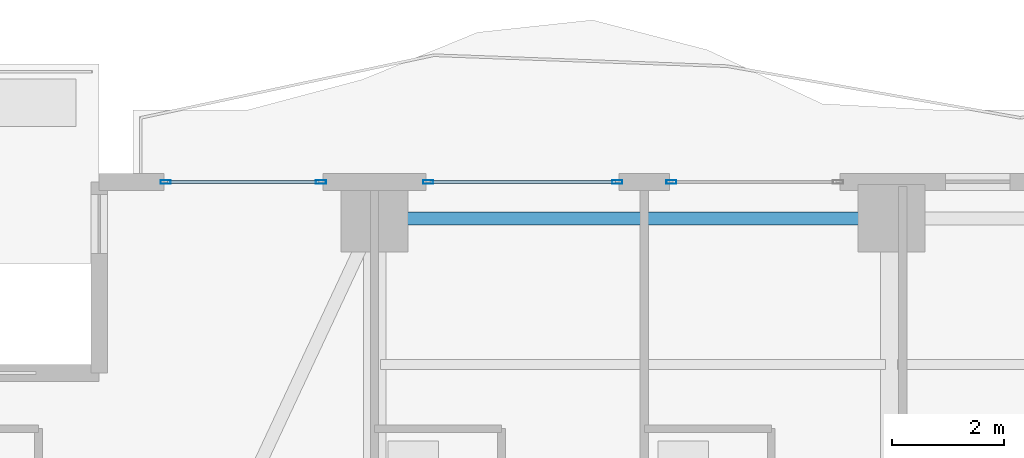
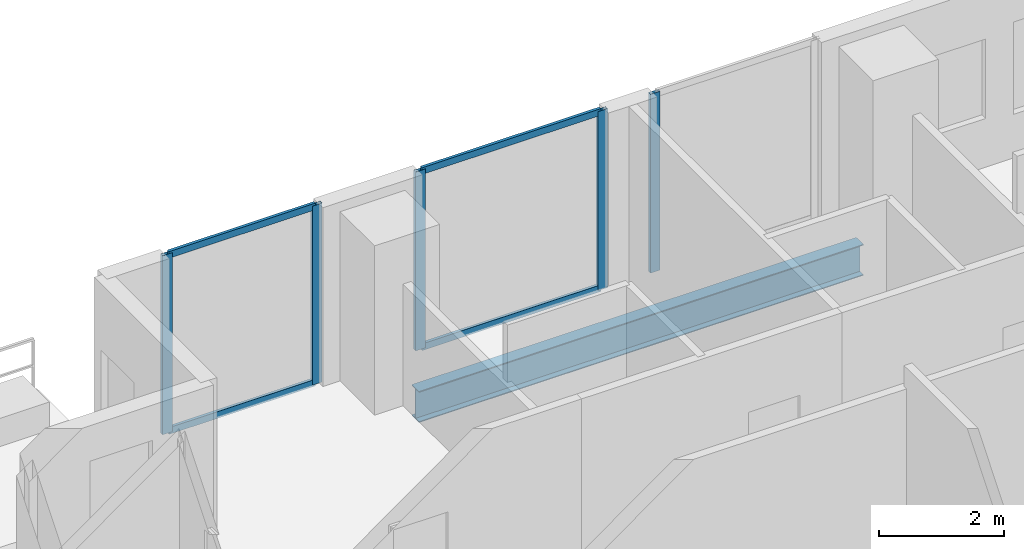
# One storey, part 17 of 33: 9 members, 1 beam, 3 elements without a shape of their own.
"""IFC4 building model written with IfcOpenShell, lengths in metres."""

from ifc_helpers import new_model, si_unit, direction, frame, origin, origin_2d, place, context, subcontext, project, spatial, hollow_rectangle, i_section, extrude, material, layer, layer_set, material_profile, profile_set, type_object, element, aggregate, save


model = new_model("IFC4")

# Units and contexts
model_context = context("Model", 3, precision=1e-05, world=origin(), true_north=direction((0.0, 1.0)))
body_context = subcontext(model_context, "Body", "Model", "MODEL_VIEW")
ifc_project = project(units=[si_unit("LENGTHUNIT", "METRE"), si_unit("AREAUNIT", "SQUARE_METRE"), si_unit("VOLUMEUNIT", "CUBIC_METRE"), si_unit("PLANEANGLEUNIT", "RADIAN"), si_unit("MASSUNIT", "GRAM", prefix="KILO")], contexts=[model_context])

# Site, building, storey
site_placement = place(None, origin())
site = spatial("IfcSite", under=ifc_project, at=site_placement, CompositionType="ELEMENT")
building_placement = place(site_placement, origin())
building = spatial("IfcBuilding", under=site, at=building_placement, Name="Zuhayl Quay Hotel", CompositionType="ELEMENT")
storey_placement = place(building_placement, frame((0.0, 0.0, 229.89990234375)))
storey = spatial("IfcBuildingStorey", under=building, at=storey_placement, Name="L58", CompositionType="ELEMENT", Elevation=229.89990234375)

# Beam
ifc_material_1 = material(Name="Steel ASTM A992 Grade 50", Category="steel")
ifc_material_profile_1 = material_profile(ifc_material_1, i_section(OverallWidth=0.22802734375, OverallDepth=0.60693359375, WebThickness=0.01123046875, FlangeThickness=0.017333984375, at=origin_2d()), Name="W24X76")
ifc_profile_set_1 = profile_set([ifc_material_profile_1], Name="Steel ASTM A992 Grade 50")
beam_type = type_object("IfcBeamType", Name="BM_B3_W24X76", PredefinedType="BEAM", material=ifc_profile_set_1)
beam_placement = place(storey_placement, frame((-5.10009765625, 32.949951171875, -0.5234375), z_axis=(-1.0, 0.0, 0.0), x_axis=(0.0, -1.0, 0.0)))
element("IfcBeam", 1, at=beam_placement, inside=storey, type_object=beam_type, Name="L58 Floor Beam RG_L58_09", PredefinedType="BEAM", context=body_context, shape_type="SweptSolid", body=[
    extrude(i_section(OverallWidth=0.22802734375, OverallDepth=0.60693359375, WebThickness=0.01123046875, FlangeThickness=0.017333984375, at=origin_2d()), origin(), (0.0, 0.0, 1.0), 8.199951171875),
])

# Curtain wall, members
ifc_material_2 = material(Name="Anodised Aluminium 6063-T6", Category="aluminium")
ifc_layer = layer(ifc_material_2, 0.175048828125, Name="Anodised Aluminium 6063-T6", Category="aluminium")
ifc_layer_set = layer_set([ifc_layer], Name="Anodised Aluminium 6063-T6")
curtain_wall_type = type_object("IfcCurtainWallType", Name="CW_SYS_Z3", PredefinedType="USERDEFINED", material=ifc_layer_set)
curtain_wall_1_placement = place(storey_placement, origin())
curtain_wall_1 = element("IfcCurtainWall", 2, at=curtain_wall_1_placement, inside=storey, type_object=curtain_wall_type, Name="L58 Curtain Wall ENV_L58_N_CW1", ObjectType="UNITISED CURTAIN WALL", PredefinedType="USERDEFINED")
ifc_material_3 = material(Name="Black-anodised aluminium 6063-T6", Category="aluminium")
ifc_material_profile_2 = material_profile(ifc_material_3, hollow_rectangle(XDim=0.06494140625, YDim=0.179931640625, WallThickness=0.00341796875, at=origin_2d()), Name="ALU180X65")
ifc_profile_set_2 = profile_set([ifc_material_profile_2], Name="Black-anodised aluminium 6063-T6")
member_type_1 = type_object("IfcMemberType", Name="MB_CW_MUL_180", PredefinedType="MULLION", material=ifc_profile_set_2)
member_1_placement = place(storey_placement, frame((-17.517578125, 33.60009765625, 0.0), z_axis=(0.0, 0.0, 1.0), x_axis=(0.0, 1.0, 0.0)))
member_1 = element("IfcMember", 3, at=member_1_placement, type_object=member_type_1, Name="CW-Z3 mullion 1", PredefinedType="MULLION", context=body_context, shape_type="SweptSolid", body=[
    extrude(hollow_rectangle(XDim=0.06494140625, YDim=0.179931640625, WallThickness=0.00341796875, at=origin_2d()), origin(), (0.0, 0.0, 1.0), 3.489990234375),
])
member_2_placement = place(storey_placement, frame((-14.75244140625, 33.60009765625, 0.0), z_axis=(0.0, 0.0, 1.0), x_axis=(0.0, 1.0, 0.0)))
member_2 = element("IfcMember", 4, at=member_2_placement, type_object=member_type_1, Name="CW-Z3 mullion 2", PredefinedType="MULLION", context=body_context, shape_type="SweptSolid", body=[
    extrude(hollow_rectangle(XDim=0.06494140625, YDim=0.179931640625, WallThickness=0.00341796875, at=origin_2d()), origin(), (0.0, 0.0, 1.0), 3.489990234375),
])

curtain_wall_2_placement = place(storey_placement, origin())
curtain_wall_2 = element("IfcCurtainWall", 5, at=curtain_wall_2_placement, inside=storey, type_object=curtain_wall_type, Name="L58 Curtain Wall ENV_L58_N_CW2", ObjectType="UNITISED CURTAIN WALL", PredefinedType="USERDEFINED")
member_3_placement = place(storey_placement, frame((-12.847412109375, 33.60009765625, 0.0), z_axis=(0.0, 0.0, 1.0), x_axis=(0.0, 1.0, 0.0)))
member_3 = element("IfcMember", 6, at=member_3_placement, type_object=member_type_1, Name="CW-Z3 mullion 1", PredefinedType="MULLION", context=body_context, shape_type="SweptSolid", body=[
    extrude(hollow_rectangle(XDim=0.06494140625, YDim=0.179931640625, WallThickness=0.00341796875, at=origin_2d()), origin(), (0.0, 0.0, 1.0), 3.489990234375),
])
member_4_placement = place(storey_placement, frame((-9.482421875, 33.60009765625, 0.0), z_axis=(0.0, 0.0, 1.0), x_axis=(0.0, 1.0, 0.0)))
member_4 = element("IfcMember", 7, at=member_4_placement, type_object=member_type_1, Name="CW-Z3 mullion 2", PredefinedType="MULLION", context=body_context, shape_type="SweptSolid", body=[
    extrude(hollow_rectangle(XDim=0.06494140625, YDim=0.179931640625, WallThickness=0.00341796875, at=origin_2d()), origin(), (0.0, 0.0, 1.0), 3.489990234375),
])

# Curtain wall, member
curtain_wall_3_placement = place(storey_placement, origin())
curtain_wall_3 = element("IfcCurtainWall", 8, at=curtain_wall_3_placement, inside=storey, type_object=curtain_wall_type, Name="L58 Curtain Wall ENV_L58_N_CW3", ObjectType="UNITISED CURTAIN WALL", PredefinedType="USERDEFINED")
member_5_placement = place(storey_placement, frame((-8.517578125, 33.60009765625, 0.0), z_axis=(0.0, 0.0, 1.0), x_axis=(0.0, 1.0, 0.0)))
member_5 = element("IfcMember", 9, at=member_5_placement, type_object=member_type_1, Name="CW-Z3 mullion 1", PredefinedType="MULLION", context=body_context, shape_type="SweptSolid", body=[
    extrude(hollow_rectangle(XDim=0.06494140625, YDim=0.179931640625, WallThickness=0.00341796875, at=origin_2d()), origin(), (0.0, 0.0, 1.0), 3.489990234375),
])
aggregate(curtain_wall_3, [member_5])

# Member
ifc_material_profile_3 = material_profile(ifc_material_3, hollow_rectangle(XDim=0.054931640625, YDim=0.1298828125, WallThickness=0.0029296875, at=origin_2d()), Name="ALU130X55")
ifc_profile_set_3 = profile_set([ifc_material_profile_3], Name="Black-anodised aluminium 6063-T6")
member_type_2 = type_object("IfcMemberType", Name="MB_CW_TRN_130", PredefinedType="USERDEFINED", material=ifc_profile_set_3)
member_6_placement = place(storey_placement, frame((-17.485107421875, 33.60009765625, 0.027587890625), z_axis=(1.0, 0.0, 0.0), x_axis=(0.0, 1.0, 0.0)))
member_6 = element("IfcMember", 10, at=member_6_placement, type_object=member_type_2, Name="CW-Z3 transom 1.1", ObjectType="TRANSOM", PredefinedType="USERDEFINED", context=body_context, shape_type="SweptSolid", body=[
    extrude(hollow_rectangle(XDim=0.054931640625, YDim=0.1298828125, WallThickness=0.0029296875, at=origin_2d()), origin(), (0.0, 0.0, 1.0), 2.7001953125),
])

member_7_placement = place(storey_placement, frame((-17.485107421875, 33.60009765625, 3.462646484375), z_axis=(1.0, 0.0, 0.0), x_axis=(0.0, 1.0, 0.0)))
member_7 = element("IfcMember", 11, at=member_7_placement, type_object=member_type_2, Name="CW-Z3 transom 1.2", ObjectType="TRANSOM", PredefinedType="USERDEFINED", context=body_context, shape_type="SweptSolid", body=[
    extrude(hollow_rectangle(XDim=0.054931640625, YDim=0.1298828125, WallThickness=0.0029296875, at=origin_2d()), origin(), (0.0, 0.0, 1.0), 2.7001953125),
])

aggregate(curtain_wall_1, [member_1, member_2, member_6, member_7])

member_8_placement = place(storey_placement, frame((-12.81494140625, 33.60009765625, 0.027587890625), z_axis=(1.0, 0.0, 0.0), x_axis=(0.0, 1.0, 0.0)))
member_8 = element("IfcMember", 12, at=member_8_placement, type_object=member_type_2, Name="CW-Z3 transom 1.1", ObjectType="TRANSOM", PredefinedType="USERDEFINED", context=body_context, shape_type="SweptSolid", body=[
    extrude(hollow_rectangle(XDim=0.054931640625, YDim=0.1298828125, WallThickness=0.0029296875, at=origin_2d()), origin(), (0.0, 0.0, 1.0), 3.300048828125),
])

member_9_placement = place(storey_placement, frame((-12.81494140625, 33.60009765625, 3.462646484375), z_axis=(1.0, 0.0, 0.0), x_axis=(0.0, 1.0, 0.0)))
member_9 = element("IfcMember", 13, at=member_9_placement, type_object=member_type_2, Name="CW-Z3 transom 1.2", ObjectType="TRANSOM", PredefinedType="USERDEFINED", context=body_context, shape_type="SweptSolid", body=[
    extrude(hollow_rectangle(XDim=0.054931640625, YDim=0.1298828125, WallThickness=0.0029296875, at=origin_2d()), origin(), (0.0, 0.0, 1.0), 3.300048828125),
])

aggregate(curtain_wall_2, [member_3, member_4, member_8, member_9])

save(model, "model.ifc")
